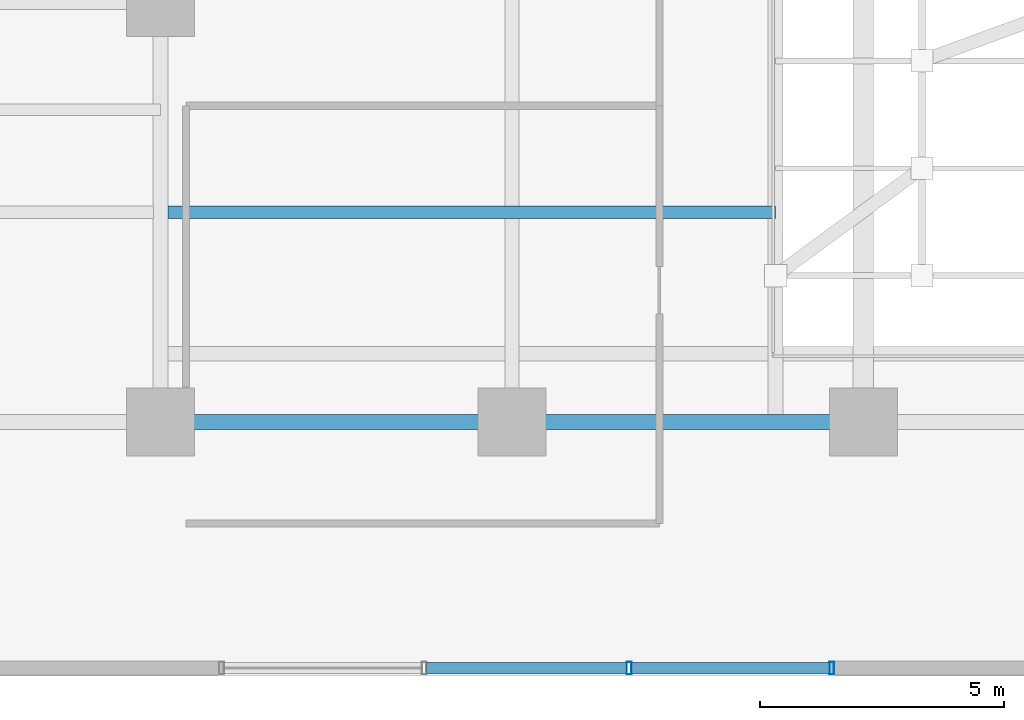
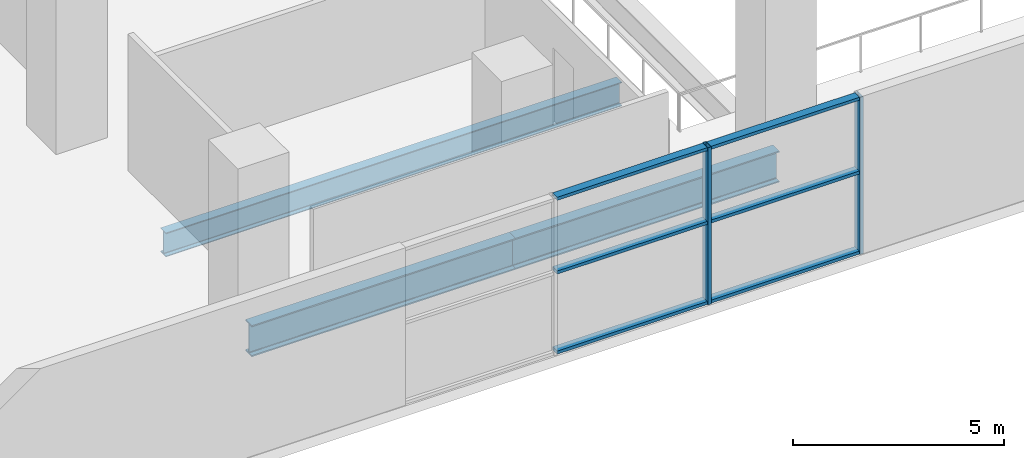
# One storey, part 3 of 22: 8 members, 3 beams, 1 element without a shape of its own.
"""IFC4 building model written with IfcOpenShell, lengths in metres."""

import ifcopenshell
import ifcopenshell.guid

model = None  # the IFC model being written
_history = None  # IfcOwnerHistory: only IFC2X3 demands one
_inside = {}  # id of a spatial element -> (the spatial element, [elements in it])
_under = {}  # id of a project, library or spatial element -> (it, [spatial elements below it])
_declared = {}  # id of a project -> (the project, [libraries it declares])
_typed = {}  # id of a type object -> (the type object, [elements of that type])
_made_of = {}  # id of a material, layer set ... -> (it, [elements and type objects made of it])


def new_model(schema):
    """Start an empty IFC model of exactly this schema.

    Asked for "IFC4X3", IfcOpenShell would pick the latest addendum, in which some entities
    have other attributes; the version numbers below select the first issue.
    IFC2X3 requires an IfcOwnerHistory on every rooted entity: one is made here for all.
    """
    global model, _history
    if schema == "IFC4X3":
        model = ifcopenshell.file(schema_version=(4, 3, 0, 0))
    else:
        model = ifcopenshell.file(schema=schema)
    _inside.clear()
    _under.clear()
    _declared.clear()
    _typed.clear()
    _made_of.clear()
    _history = None
    if model.schema == "IFC2X3":
        org = make("IfcOrganization", Name="unknown")
        user = make(
            "IfcPersonAndOrganization",
            ThePerson=make("IfcPerson", FamilyName="unknown"),
            TheOrganization=org,
        )
        app = make(
            "IfcApplication",
            ApplicationDeveloper=org,
            Version="unknown",
            ApplicationFullName="unknown",
            ApplicationIdentifier="unknown",
        )
        _history = make(
            "IfcOwnerHistory",
            OwningUser=user,
            OwningApplication=app,
            ChangeAction="ADDED",
            CreationDate=0,
        )
    return model


def make(cls, **values):
    """One entity of the class cls with the attributes given. An attribute that is None is left unset."""
    return model.create_entity(
        cls, **{name: value for name, value in values.items() if value is not None}
    )


def rooted(cls, **values):
    """An entity with a GlobalId (a new one), such as an element, a storey or a relation."""
    return make(cls, GlobalId=ifcopenshell.guid.new(), OwnerHistory=_history, **values)


def si_unit(unit_type, name, prefix=None):
    """IfcSIUnit, for example si_unit("LENGTHUNIT", "METRE", prefix="MILLI")."""
    return make("IfcSIUnit", UnitType=unit_type, Prefix=prefix, Name=name)


def assignment(units):
    """IfcUnitAssignment: the units of a project."""
    return None if units is None else make("IfcUnitAssignment", Units=units)


def point(xyz):
    """IfcCartesianPoint."""
    return None if xyz is None else make("IfcCartesianPoint", Coordinates=xyz)


def direction(xyz):
    """IfcDirection."""
    return None if xyz is None else make("IfcDirection", DirectionRatios=xyz)


def frame(location, z_axis=None, x_axis=None):
    """IfcAxis2Placement3D, a coordinate frame: its origin and axes. An axis left out is left unset."""
    return make(
        "IfcAxis2Placement3D",
        Location=point(location),
        Axis=direction(z_axis),
        RefDirection=direction(x_axis),
    )


def frame_2d(location, x_axis=None):
    """IfcAxis2Placement2D, a coordinate frame in the plane: its origin and x axis."""
    return make(
        "IfcAxis2Placement2D", Location=point(location), RefDirection=direction(x_axis)
    )


def origin():
    """The frame at (0, 0, 0) with its axes left unset."""
    return frame((0.0, 0.0, 0.0))


def origin_2d():
    """The frame at (0, 0) in the plane with its x axis left unset."""
    return frame_2d((0.0, 0.0))


def place(relative_to, where):
    """IfcLocalPlacement: puts the frame where relative to a parent placement (None: the world)."""
    return make(
        "IfcLocalPlacement", PlacementRelTo=relative_to, RelativePlacement=where
    )


def context(
    kind, dimensions, precision=None, world=None, true_north=None, identifier=None
):
    """IfcGeometricRepresentationContext, for example the 3D "Model" context."""
    return make(
        "IfcGeometricRepresentationContext",
        ContextIdentifier=identifier,
        ContextType=kind,
        CoordinateSpaceDimension=dimensions,
        Precision=precision,
        WorldCoordinateSystem=world,
        TrueNorth=true_north,
    )


def subcontext(parent, identifier, kind, view, scale=None):
    """IfcGeometricRepresentationSubContext, for example "Body" below "Model"."""
    return make(
        "IfcGeometricRepresentationSubContext",
        ContextIdentifier=identifier,
        ContextType=kind,
        ParentContext=parent,
        TargetScale=scale,
        TargetView=view,
    )


def project(units=None, contexts=None):
    """IfcProject with its units and contexts."""
    return rooted(
        "IfcProject",
        Name="project",
        RepresentationContexts=contexts,
        UnitsInContext=assignment(units),
    )


def spatial(cls, under=None, at=None, **own):
    """A site, building, storey or space (cls), placed at a placement, below another one or the project."""
    s = rooted(cls, ObjectPlacement=at, **own)
    if under is not None:
        _under.setdefault(under.id(), (under, []))[1].append(s)
    return s


def profile(cls, at=None, kind="AREA", **sizes):
    """A parametric profile (cls). Its sizes go by their IFC names, for example OverallWidth=200.0."""
    return make(cls, ProfileType=kind, Position=at, **sizes)


def hollow_rectangle(**sizes):
    """IfcRectangleHollowProfileDef."""
    return profile("IfcRectangleHollowProfileDef", **sizes)


def i_section(**sizes):
    """IfcIShapeProfileDef."""
    return profile("IfcIShapeProfileDef", **sizes)


def extrude(swept, where, along, depth):
    """IfcExtrudedAreaSolid: the profile swept, set in the frame where, extruded along a direction by depth."""
    return make(
        "IfcExtrudedAreaSolid",
        SweptArea=swept,
        Position=where,
        ExtrudedDirection=direction(along),
        Depth=depth,
    )


def shape(context_of_items, identifier, shape_type, items):
    """IfcShapeRepresentation: the items that make up one representation, for example the "Body"."""
    return make(
        "IfcShapeRepresentation",
        ContextOfItems=context_of_items,
        RepresentationIdentifier=identifier,
        RepresentationType=shape_type,
        Items=items,
    )


def source(mapping_origin, context_of_items, identifier, shape_type, items):
    """IfcRepresentationMap: a shape defined once, which mapped items show again and again."""
    return make(
        "IfcRepresentationMap",
        MappingOrigin=mapping_origin,
        MappedRepresentation=shape(context_of_items, identifier, shape_type, items),
    )


def transform(
    local_origin,
    x_axis=None,
    y_axis=None,
    z_axis=None,
    scale=None,
    scale2=None,
    scale3=None,
    uniform=True,
):
    """IfcCartesianTransformationOperator3D, or its non-uniform kind. x_axis, y_axis, z_axis: its Axis1, 2, 3."""
    if uniform:
        return make(
            "IfcCartesianTransformationOperator3D",
            Axis1=direction(x_axis),
            Axis2=direction(y_axis),
            LocalOrigin=point(local_origin),
            Scale=scale,
            Axis3=direction(z_axis),
        )
    return make(
        "IfcCartesianTransformationOperator3DnonUniform",
        Axis1=direction(x_axis),
        Axis2=direction(y_axis),
        LocalOrigin=point(local_origin),
        Scale=scale,
        Axis3=direction(z_axis),
        Scale2=scale2,
        Scale3=scale3,
    )


def mapped(mapping_source, mapping_target):
    """IfcMappedItem: shows the shape of a source again, moved by a transform."""
    return make(
        "IfcMappedItem", MappingSource=mapping_source, MappingTarget=mapping_target
    )


def material(Name=None, Category=None):
    """IfcMaterial."""
    return make("IfcMaterial", Name=Name, Category=Category)


def layer(
    of_material, thickness, ventilated=None, Name=None, Category=None, Priority=None
):
    """IfcMaterialLayer: one layer of a wall or slab, of a material (None: an air gap)."""
    return make(
        "IfcMaterialLayer",
        Material=of_material,
        LayerThickness=thickness,
        IsVentilated=ventilated,
        Name=Name,
        Category=Category,
        Priority=Priority,
    )


def layer_set(layers, Name=None):
    """IfcMaterialLayerSet."""
    return make("IfcMaterialLayerSet", MaterialLayers=layers, LayerSetName=Name)


def material_profile(
    of_material, cross_section, Name=None, Category=None, Priority=None
):
    """IfcMaterialProfile: a cross section and its material."""
    return make(
        "IfcMaterialProfile",
        Name=Name,
        Material=of_material,
        Profile=cross_section,
        Priority=Priority,
        Category=Category,
    )


def profile_set(profiles, Name=None, composite=None):
    """IfcMaterialProfileSet."""
    return make(
        "IfcMaterialProfileSet",
        Name=Name,
        MaterialProfiles=profiles,
        CompositeProfile=composite,
    )


def made_of(thing, what):
    """Note that an element or type object is made of a material, layer set ...; save() writes the relation."""
    if what is not None:
        _made_of.setdefault(what.id(), (what, []))[1].append(thing)
    return thing


def type_object(cls, material=None, **own):
    """A type object (cls), such as IfcWallType, which elements share."""
    return made_of(rooted(cls, **own), material)


def element(
    cls,
    number,
    at=None,
    inside=None,
    cuts=None,
    type_object=None,
    material=None,
    context=None,
    identifier="Body",
    shape_type=None,
    held_by="IfcProductDefinitionShape",
    body=None,
    shapes=None,
    **own,
):
    """One element of the class cls, such as IfcWall. Its Tag is "e" and its number.

    at: its placement. inside: the storey or other place that contains it. cuts: it is an
    opening in that element (IfcRelVoidsElement). A single representation is given by context,
    identifier, shape_type and body (its items); several are given by shapes. held_by: the class
    of the entity that holds the representations. save() writes the other relations.
    """
    e = rooted(cls, Tag="e%d" % number, ObjectPlacement=at, **own)
    if body is not None:
        shapes = [shape(context, identifier, shape_type, body)]
    if shapes is not None:
        e.Representation = make(held_by, Representations=shapes)
    if inside is not None:
        _inside.setdefault(inside.id(), (inside, []))[1].append(e)
    if cuts is not None:
        rooted(
            "IfcRelVoidsElement", RelatingBuildingElement=cuts, RelatedOpeningElement=e
        )
    if type_object is not None:
        _typed.setdefault(type_object.id(), (type_object, []))[1].append(e)
    return made_of(e, material)


def aggregate(whole, parts):
    """IfcRelAggregates: a whole, such as a stair, and the parts it consists of."""
    return rooted("IfcRelAggregates", RelatingObject=whole, RelatedObjects=parts)


def save(model, path):
    """Write the relations noted so far, then the file.

    IfcRelAggregates (storeys below a building ...), IfcRelContainedInSpatialStructure (elements
    in a storey), IfcRelDefinesByType, IfcRelAssociatesMaterial and IfcRelDeclares: one each for
    every whole, place, type object, material and project.
    """
    for whole, parts in _under.values():
        aggregate(whole, parts)
    for where, things in _inside.values():
        rooted(
            "IfcRelContainedInSpatialStructure",
            RelatedElements=things,
            RelatingStructure=where,
        )
    for kind, things in _typed.values():
        rooted("IfcRelDefinesByType", RelatedObjects=things, RelatingType=kind)
    for what, things in _made_of.values():
        rooted("IfcRelAssociatesMaterial", RelatedObjects=things, RelatingMaterial=what)
    for by, libraries in _declared.values():
        rooted("IfcRelDeclares", RelatingContext=by, RelatedDefinitions=libraries)
    model.write(path)


model = new_model("IFC4")

# Units and contexts
model_context = context("Model", 3, precision=1e-05, world=origin(), true_north=direction((0.0, 1.0)))
body_context = subcontext(model_context, "Body", "Model", "MODEL_VIEW")
ifc_project = project(units=[si_unit("LENGTHUNIT", "METRE"), si_unit("AREAUNIT", "SQUARE_METRE"), si_unit("VOLUMEUNIT", "CUBIC_METRE"), si_unit("PLANEANGLEUNIT", "RADIAN"), si_unit("MASSUNIT", "GRAM", prefix="KILO")], contexts=[model_context])

# Site, building, storey
site_placement = place(None, origin())
site = spatial("IfcSite", under=ifc_project, at=site_placement, CompositionType="ELEMENT")
building_placement = place(site_placement, origin())
building = spatial("IfcBuilding", under=site, at=building_placement, Name="Zarnakvel Exchange Tower", CompositionType="ELEMENT")
storey_placement = place(building_placement, frame((0.0, 0.0, 22.60009765625)))
storey = spatial("IfcBuildingStorey", under=building, at=storey_placement, Name="L05", CompositionType="ELEMENT", Elevation=22.60009765625)

# Beams
ifc_material_1 = material(Name="Steel S355", Category="steel")
ifc_material_profile_1 = material_profile(ifc_material_1, i_section(OverallWidth=0.255859375, OverallDepth=0.69287109375, WebThickness=0.014404296875, FlangeThickness=0.023681640625, FilletRadius=0.01513671875, at=origin_2d()))
ifc_profile_set_1 = profile_set([ifc_material_profile_1], Name="Steel S355")
beam_type_1 = type_object("IfcBeamType", Name="B-01", PredefinedType="JOIST", material=ifc_profile_set_1)
beam_1_placement = place(storey_placement, frame((-21.449951171875, -13.89990234375, -0.646484375), z_axis=(1.0, 0.0, 0.0), x_axis=(0.0, 1.0, 0.0)))
element("IfcBeam", 1, at=beam_1_placement, inside=storey, type_object=beam_type_1, Name="L05 Exchange Hall Atrium Trimmer West", PredefinedType="JOIST", context=body_context, shape_type="SweptSolid", body=[
    extrude(i_section(OverallWidth=0.255859375, OverallDepth=0.69287109375, WebThickness=0.014404296875, FlangeThickness=0.023681640625, FilletRadius=0.01513671875, at=origin_2d()), origin(), (0.0, 0.0, 1.0), 12.449951171875),
])
ifc_material_profile_2 = material_profile(ifc_material_1, i_section(OverallWidth=0.300048828125, OverallDepth=0.89990234375, WebThickness=0.0185546875, FlangeThickness=0.034912109375, FilletRadius=0.030029296875, at=origin_2d()))
ifc_profile_set_2 = profile_set([ifc_material_profile_2], Name="Steel S355")
beam_type_2 = type_object("IfcBeamType", Name="G-01", PredefinedType="BEAM", material=ifc_profile_set_2)
beam_2_placement = place(storey_placement, frame((-21.60009765625, -18.199951171875, -0.75), z_axis=(1.0, 0.0, 0.0), x_axis=(0.0, 1.0, 0.0)))
element("IfcBeam", 2, at=beam_2_placement, inside=storey, type_object=beam_type_2, Name="L05 Primary E-W Girder Y=-18.2", PredefinedType="BEAM", context=body_context, shape_type="SweptSolid", body=[
    extrude(i_section(OverallWidth=0.300048828125, OverallDepth=0.89990234375, WebThickness=0.0185546875, FlangeThickness=0.034912109375, FilletRadius=0.030029296875, at=origin_2d()), origin(), (0.0, 0.0, 1.0), 7.2001953125),
])
beam_3_placement = place(storey_placement, frame((-14.39990234375, -18.199951171875, -0.75), z_axis=(1.0, 0.0, 0.0), x_axis=(0.0, 1.0, 0.0)))
element("IfcBeam", 3, at=beam_3_placement, inside=storey, type_object=beam_type_2, Name="L05 Primary E-W Girder Y=-18.2", PredefinedType="BEAM", context=body_context, shape_type="SweptSolid", body=[
    extrude(i_section(OverallWidth=0.300048828125, OverallDepth=0.89990234375, WebThickness=0.0185546875, FlangeThickness=0.034912109375, FilletRadius=0.030029296875, at=origin_2d()), origin(), (0.0, 0.0, 1.0), 7.199951171875),
])

# Curtain wall, members
ifc_material_2 = material(Name="Architectural Bronze Anodised Aluminium", Category="aluminium")
ifc_layer = layer(ifc_material_2, 0.260009765625)
ifc_layer_set = layer_set([ifc_layer], Name="Architectural Bronze Anodised Aluminium")
curtain_wall_type = type_object("IfcCurtainWallType", Name="CW-01", PredefinedType="NOTDEFINED", material=ifc_layer_set)
curtain_wall_placement = place(storey_placement, origin())
curtain_wall = element("IfcCurtainWall", 4, at=curtain_wall_placement, inside=storey, type_object=curtain_wall_type, Name="L05 Curtain Wall CW-L05-S1 (CW-01)", PredefinedType="NOTDEFINED")
ifc_material_profile_3 = material_profile(ifc_material_2, hollow_rectangle(XDim=0.219970703125, YDim=0.090087890625, WallThickness=0.0048828125, at=origin_2d()))
ifc_profile_set_3 = profile_set([ifc_material_profile_3], Name="Architectural Bronze Anodised Aluminium")
member_type_1 = type_object("IfcMemberType", Name="CWT-01", PredefinedType="USERDEFINED", material=ifc_profile_set_3)
shared_shape_1 = source(origin(), body_context, "Body", "SweptSolid", [
    extrude(hollow_rectangle(XDim=0.219970703125, YDim=0.090087890625, WallThickness=0.0048828125, at=origin_2d()), origin(), (0.0, 0.0, 1.0), 4.050048828125),
])
member_1_placement = place(storey_placement, frame((-11.949951171875, -23.239990234375, 0.044921875), z_axis=(1.0, 0.0, 0.0), x_axis=(0.0, 1.0, 0.0)))
member_1 = element("IfcMember", 5, at=member_1_placement, type_object=member_type_1, Name="CW-01 transom 3.1", ObjectType="TRANSOM", PredefinedType="USERDEFINED", context=body_context, shape_type="MappedRepresentation", body=[
    mapped(shared_shape_1, transform((0.0, 0.0, 0.0), x_axis=(1.0, 0.0, 0.0), y_axis=(0.0, 1.0, 0.0), z_axis=(0.0, 0.0, 1.0), scale=1.0)),
])
member_2_placement = place(storey_placement, frame((-11.949951171875, -23.239990234375, 2.35546875), z_axis=(1.0, 0.0, 0.0), x_axis=(0.0, 1.0, 0.0)))
member_2 = element("IfcMember", 6, at=member_2_placement, type_object=member_type_1, Name="CW-01 transom 3.2", ObjectType="TRANSOM", PredefinedType="USERDEFINED", context=body_context, shape_type="MappedRepresentation", body=[
    mapped(shared_shape_1, transform((0.0, 0.0, 0.0), x_axis=(1.0, 0.0, 0.0), y_axis=(0.0, 1.0, 0.0), z_axis=(0.0, 0.0, 1.0), scale=1.0)),
])
member_3_placement = place(storey_placement, frame((-11.949951171875, -23.239990234375, 4.48486328125), z_axis=(1.0, 0.0, 0.0), x_axis=(0.0, 1.0, 0.0)))
member_3 = element("IfcMember", 7, at=member_3_placement, type_object=member_type_1, Name="CW-01 transom 3.3", ObjectType="TRANSOM", PredefinedType="USERDEFINED", context=body_context, shape_type="MappedRepresentation", body=[
    mapped(shared_shape_1, transform((0.0, 0.0, 0.0), x_axis=(1.0, 0.0, 0.0), y_axis=(0.0, 1.0, 0.0), z_axis=(0.0, 0.0, 1.0), scale=1.0)),
])
shared_shape_2 = source(origin(), body_context, "Body", "SweptSolid", [
    extrude(hollow_rectangle(XDim=0.219970703125, YDim=0.090087890625, WallThickness=0.0048828125, at=origin_2d()), origin(), (0.0, 0.0, 1.0), 4.099853515625),
])
member_4_placement = place(storey_placement, frame((-16.14990234375, -23.239990234375, 0.044921875), z_axis=(1.0, 0.0, 0.0), x_axis=(0.0, 1.0, 0.0)))
member_4 = element("IfcMember", 8, at=member_4_placement, type_object=member_type_1, Name="CW-01 transom 2.1", ObjectType="TRANSOM", PredefinedType="USERDEFINED", context=body_context, shape_type="MappedRepresentation", body=[
    mapped(shared_shape_2, transform((0.0, 0.0, 0.0), x_axis=(1.0, 0.0, 0.0), y_axis=(0.0, 1.0, 0.0), z_axis=(0.0, 0.0, 1.0), scale=1.0)),
])
member_5_placement = place(storey_placement, frame((-16.14990234375, -23.239990234375, 2.35546875), z_axis=(1.0, 0.0, 0.0), x_axis=(0.0, 1.0, 0.0)))
member_5 = element("IfcMember", 9, at=member_5_placement, type_object=member_type_1, Name="CW-01 transom 2.2", ObjectType="TRANSOM", PredefinedType="USERDEFINED", context=body_context, shape_type="MappedRepresentation", body=[
    mapped(shared_shape_2, transform((0.0, 0.0, 0.0), x_axis=(1.0, 0.0, 0.0), y_axis=(0.0, 1.0, 0.0), z_axis=(0.0, 0.0, 1.0), scale=1.0)),
])
member_6_placement = place(storey_placement, frame((-16.14990234375, -23.239990234375, 4.48486328125), z_axis=(1.0, 0.0, 0.0), x_axis=(0.0, 1.0, 0.0)))
member_6 = element("IfcMember", 10, at=member_6_placement, type_object=member_type_1, Name="CW-01 transom 2.3", ObjectType="TRANSOM", PredefinedType="USERDEFINED", context=body_context, shape_type="MappedRepresentation", body=[
    mapped(shared_shape_2, transform((0.0, 0.0, 0.0), x_axis=(1.0, 0.0, 0.0), y_axis=(0.0, 1.0, 0.0), z_axis=(0.0, 0.0, 1.0), scale=1.0)),
])
ifc_material_profile_4 = material_profile(ifc_material_2, hollow_rectangle(XDim=0.260009765625, YDim=0.10009765625, WallThickness=0.006103515625, at=origin_2d()))
ifc_profile_set_4 = profile_set([ifc_material_profile_4], Name="Architectural Bronze Anodised Aluminium")
member_type_2 = type_object("IfcMemberType", Name="CWM-01", PredefinedType="MULLION", material=ifc_profile_set_4)
shared_shape_3 = source(origin(), body_context, "Body", "SweptSolid", [
    extrude(hollow_rectangle(XDim=0.260009765625, YDim=0.10009765625, WallThickness=0.006103515625, at=origin_2d()), origin(), (0.0, 0.0, 1.0), 4.52978515625),
])
member_7_placement = place(storey_placement, frame((-12.0, -23.239990234375, 0.0), z_axis=(0.0, 0.0, 1.0), x_axis=(0.0, 1.0, 0.0)))
member_7 = element("IfcMember", 11, at=member_7_placement, type_object=member_type_2, Name="CW-01 mullion 3", PredefinedType="MULLION", context=body_context, shape_type="MappedRepresentation", body=[
    mapped(shared_shape_3, transform((0.0, 0.0, 0.0), x_axis=(1.0, 0.0, 0.0), y_axis=(0.0, 1.0, 0.0), z_axis=(0.0, 0.0, 1.0), scale=1.0)),
])
member_8_placement = place(storey_placement, frame((-7.85009765625, -23.239990234375, 0.0), z_axis=(0.0, 0.0, 1.0), x_axis=(0.0, 1.0, 0.0)))
member_8 = element("IfcMember", 12, at=member_8_placement, type_object=member_type_2, Name="CW-01 mullion 4", PredefinedType="MULLION", context=body_context, shape_type="MappedRepresentation", body=[
    mapped(shared_shape_3, transform((0.0, 0.0, 0.0), x_axis=(1.0, 0.0, 0.0), y_axis=(0.0, 1.0, 0.0), z_axis=(0.0, 0.0, 1.0), scale=1.0)),
])
aggregate(curtain_wall, [member_7, member_8, member_4, member_5, member_6, member_1, member_2, member_3])

save(model, "model.ifc")
